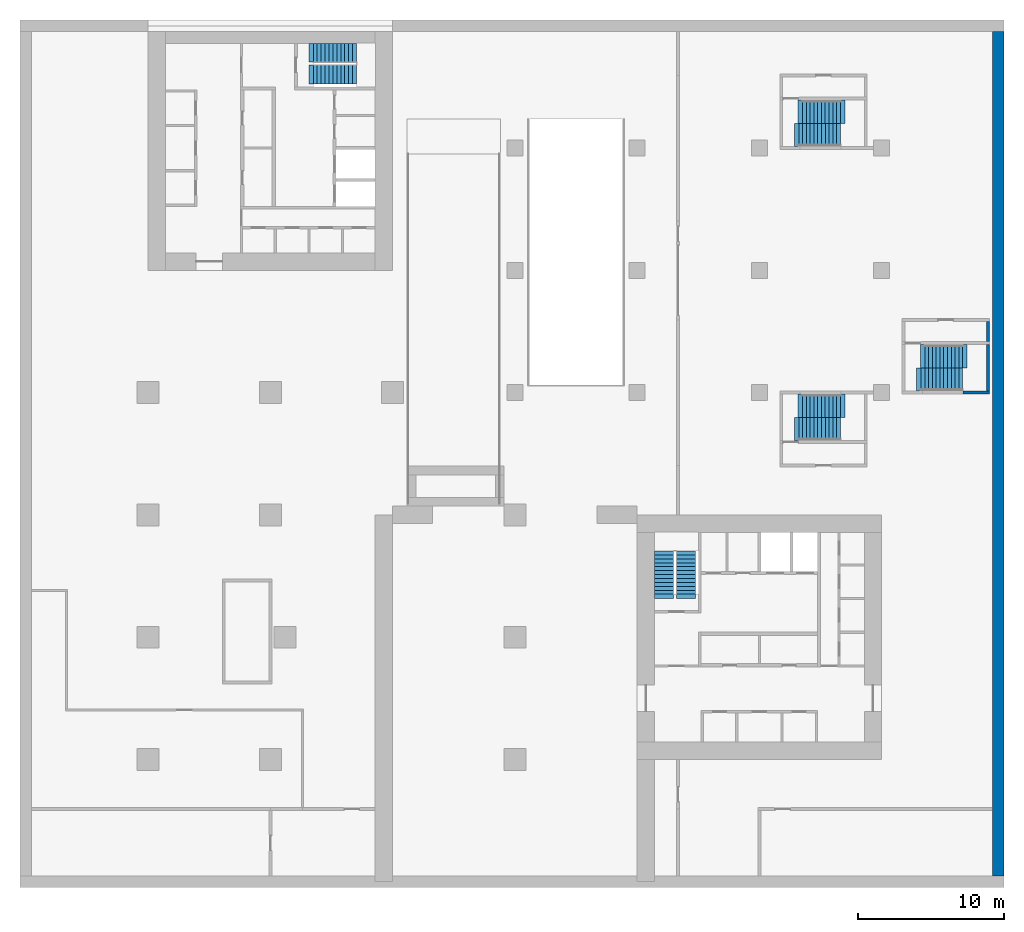
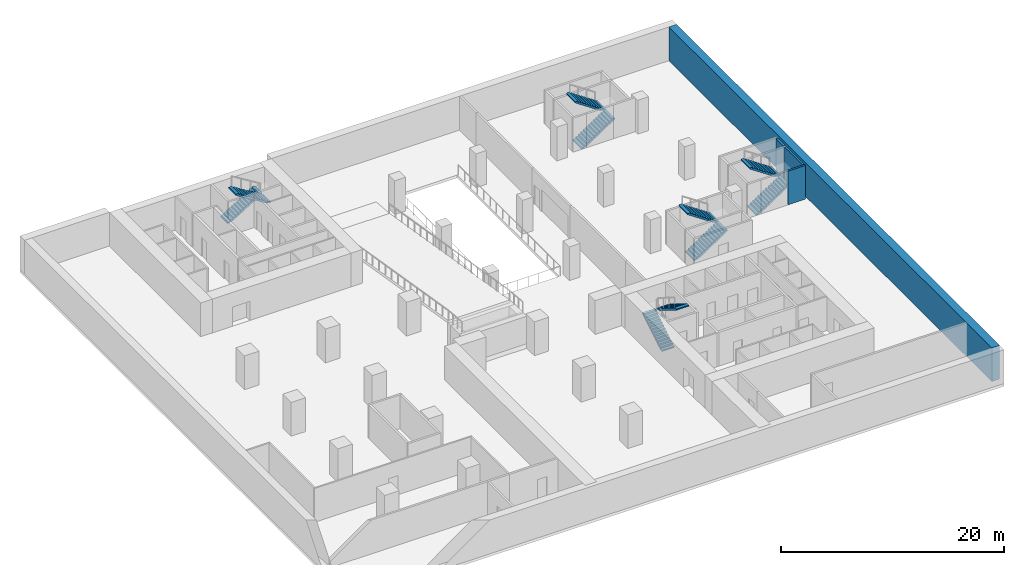
# One storey, part 6 of 7: 10 stair flights, 4 walls, 5 elements without a shape of their own.
"""IFC4 building model written with IfcOpenShell, lengths in metres."""

from ifc_helpers import new_model, si_unit, direction, frame, frame_2d, origin, place, context, subcontext, project, spatial, polyline, rectangle, outline, extrude, material, layer, layer_set, type_object, element, aggregate, save


model = new_model("IFC4")

# Units and contexts
model_context = context("Model", 3, precision=1e-05, world=origin(), true_north=direction((0.0, 1.0)))
body_context = subcontext(model_context, "Body", "Model", "MODEL_VIEW")
ifc_project = project(units=[si_unit("LENGTHUNIT", "METRE"), si_unit("AREAUNIT", "SQUARE_METRE"), si_unit("VOLUMEUNIT", "CUBIC_METRE"), si_unit("PLANEANGLEUNIT", "RADIAN"), si_unit("MASSUNIT", "GRAM", prefix="KILO")], contexts=[model_context])

# Site, building, storey
site_placement = place(None, origin())
site = spatial("IfcSite", under=ifc_project, at=site_placement, CompositionType="ELEMENT")
building_placement = place(site_placement, origin())
building = spatial("IfcBuilding", under=site, at=building_placement, Name="Vermilion Gate Residences", CompositionType="ELEMENT")
storey_placement = place(building_placement, frame((0.0, 0.0, -12.0)))
storey = spatial("IfcBuildingStorey", under=building, at=storey_placement, Name="B3", CompositionType="ELEMENT", Elevation=-12.0)

# Walls
ifc_material_1 = material(Name="Concrete C40", Category="concrete")
ifc_layer_1 = layer(ifc_material_1, 0.800048828125)
ifc_layer_set_1 = layer_set([ifc_layer_1], Name="RC DIAPHRAGM WALL 800 C40")
wall_type_1 = type_object("IfcWallType", Name="RC DIAPHRAGM WALL 800 C40", PredefinedType="SOLIDWALL", material=ifc_layer_set_1)
wall_1_placement = place(storey_placement, frame((66.800048828125, 0.39990234375, 0.0), z_axis=(0.0, 0.0, 1.0), x_axis=(0.0, 1.0, 0.0)))
element("IfcWall", 1, at=wall_1_placement, inside=storey, type_object=wall_type_1, Name="Diaphragm wall B3 4", PredefinedType="SOLIDWALL", context=body_context, shape_type="SweptSolid", body=[
    extrude(rectangle(XDim=58.0, YDim=0.800048828125, at=frame_2d((29.0, 0.0))), origin(), (0.0, 0.0, 1.0), 3.699951171875),
])
ifc_material_2 = material(Name="Concrete C40", Category="concrete")
ifc_layer_2 = layer(ifc_material_2, 0.199951171875)
ifc_layer_set_2 = layer_set([ifc_layer_2], Name="RC STAIR AND SHAFT WALL 200 EI 180 C40 (AMENITY)")
wall_type_2 = type_object("IfcWallType", Name="RC STAIR AND SHAFT WALL 200 EI 180 C40 (AMENITY)", PredefinedType="SOLIDWALL", material=ifc_layer_set_2)
wall_2_placement = place(storey_placement, frame((64.39990234375, 33.60009765625, 0.0), z_axis=(0.0, 0.0, 1.0), x_axis=(1.0, 0.0, 0.0)))
element("IfcWall", 2, at=wall_2_placement, inside=storey, type_object=wall_type_2, Name="Stair and shaft wall 35", PredefinedType="SOLIDWALL", context=body_context, shape_type="SweptSolid", body=[
    extrude(rectangle(XDim=1.800048828125, YDim=0.199951171875, at=frame_2d((0.89990234375, 0.0))), origin(), (0.0, 0.0, 1.0), 3.699951171875),
])
wall_3_placement = place(storey_placement, frame((66.10009765625, 33.699951171875, 0.0), z_axis=(0.0, 0.0, 1.0), x_axis=(0.0, 1.0, 0.0)))
element("IfcWall", 3, at=wall_3_placement, inside=storey, type_object=wall_type_2, Name="Stair and shaft wall 36", PredefinedType="SOLIDWALL", context=body_context, shape_type="SweptSolid", body=[
    extrude(rectangle(XDim=3.199951171875, YDim=0.199951171875, at=frame_2d((1.60009765625, 0.0))), origin(), (0.0, 0.0, 1.0), 3.699951171875),
])
wall_4_placement = place(storey_placement, frame((66.10009765625, 37.10009765625, 0.0), z_axis=(0.0, 0.0, 1.0), x_axis=(0.0, 1.0, 0.0)))
element("IfcWall", 4, at=wall_4_placement, inside=storey, type_object=wall_type_2, Name="Stair and shaft wall 37", PredefinedType="SOLIDWALL", context=body_context, shape_type="SweptSolid", body=[
    extrude(rectangle(XDim=1.39990234375, YDim=0.199951171875, at=frame_2d((0.699951171875, 0.0))), origin(), (0.0, 0.0, 1.0), 3.699951171875),
])

# Stair, stair flights
ifc_material_3 = material(Name="Concrete C30", Category="concrete")
stair_type_1 = type_object("IfcStairType", Name="ESCAPE STAIR 1200 (AMENITY)", PredefinedType="HALF_TURN_STAIR", material=ifc_material_3)
stair_1_placement = place(storey_placement, origin())
stair_1 = element("IfcStair", 5, at=stair_1_placement, inside=storey, type_object=stair_type_1, Name="Garage escape stair 4 B3 to B2", PredefinedType="HALF_TURN_STAIR")
ifc_material_4 = material(Name="Concrete C30", Category="concrete")
stair_flight_type_1 = type_object("IfcStairFlightType", Name="ESCAPE STAIR FLIGHT 1200 (AMENITY)", PredefinedType="STRAIGHT", material=ifc_material_4)
stair_flight_1_placement = place(storey_placement, frame((53.10009765625, 31.10009765625, 0.0), z_axis=(0.0, 0.0, 1.0), x_axis=(1.0, 0.0, 0.0)))
stair_flight_1 = element("IfcStairFlight", 6, at=stair_flight_1_placement, type_object=stair_flight_type_1, Name="STG4 flight 1", NumberOfRisers=12, NumberOfTreads=11, PredefinedType="STRAIGHT", RiserHeight=0.173913043, TreadLength=0.26, context=body_context, shape_type="SweptSolid", body=[
    extrude(outline(polyline([(-0.300048828125, -0.14990234375), (-0.300048828125, -0.030029296875), (0.0, 0.0), (0.0, 0.173828125), (0.260009765625, 0.173828125), (0.260009765625, 0.347900390625), (0.52001953125, 0.347900390625), (0.52001953125, 0.521728515625), (0.780029296875, 0.521728515625), (0.780029296875, 0.695556640625), (1.0400390625, 0.695556640625), (1.0400390625, 0.86962890625), (1.300048828125, 0.86962890625), (1.300048828125, 1.04345703125), (1.56005859375, 1.04345703125), (1.56005859375, 1.21728515625), (1.820068359375, 1.21728515625), (1.820068359375, 1.391357421875), (2.080078125, 1.391357421875), (2.080078125, 1.565185546875), (2.340087890625, 1.565185546875), (2.340087890625, 1.739013671875), (2.60009765625, 1.739013671875), (2.60009765625, 1.9130859375), (2.860107421875, 1.9130859375), (2.860107421875, 2.0869140625), (3.159912109375, 2.056884765625), (3.159912109375, 1.93701171875), (2.860107421875, 1.732666015625), (0.26953125, 0.0), (-0.300048828125, -0.14990234375)])), frame((0.0, 0.800048828125, 0.0), z_axis=(0.0, -1.0, 0.0), x_axis=(1.0, 0.0, 0.0)), (0.0, 0.0, 1.0), 1.60009765625),
])
stair_flight_2_placement = place(storey_placement, frame((55.9599609375, 32.699951171875, 2.0869140625), z_axis=(0.0, 0.0, 1.0), x_axis=(-1.0, 0.0, 0.0)))
stair_flight_2 = element("IfcStairFlight", 7, at=stair_flight_2_placement, type_object=stair_flight_type_1, Name="STG4 flight 2", NumberOfRisers=11, NumberOfTreads=10, PredefinedType="STRAIGHT", RiserHeight=0.173913043, TreadLength=0.26, context=body_context, shape_type="SweptSolid", body=[
    extrude(outline(polyline([(-0.300048828125, -0.14990234375), (-0.300048828125, -0.030029296875), (0.0, 0.0), (0.0, 0.173828125), (0.260009765625, 0.173828125), (0.260009765625, 0.347900390625), (0.52001953125, 0.347900390625), (0.52001953125, 0.521728515625), (0.780029296875, 0.521728515625), (0.780029296875, 0.695556640625), (1.0400390625, 0.695556640625), (1.0400390625, 0.86962890625), (1.300048828125, 0.86962890625), (1.300048828125, 1.04345703125), (1.56005859375, 1.04345703125), (1.56005859375, 1.21728515625), (1.820068359375, 1.21728515625), (1.820068359375, 1.391357421875), (2.080078125, 1.391357421875), (2.080078125, 1.565185546875), (2.340087890625, 1.565185546875), (2.340087890625, 1.739013671875), (2.60009765625, 1.739013671875), (2.60009765625, 1.9130859375), (2.89990234375, 1.883056640625), (2.89990234375, 1.76318359375), (2.60009765625, 1.558837890625), (0.26953125, 0.0), (-0.300048828125, -0.14990234375)])), frame((0.0, 0.800048828125, 0.0), z_axis=(0.0, -1.0, 0.0), x_axis=(1.0, 0.0, 0.0)), (0.0, 0.0, 1.0), 1.60009765625),
])
aggregate(stair_1, [stair_flight_1, stair_flight_2])

stair_2_placement = place(storey_placement, origin())
stair_2 = element("IfcStair", 8, at=stair_2_placement, inside=storey, type_object=stair_type_1, Name="Garage escape stair 15 B3 to B2", PredefinedType="HALF_TURN_STAIR")
stair_flight_3_placement = place(storey_placement, frame((53.10009765625, 51.300048828125, 0.0), z_axis=(0.0, 0.0, 1.0), x_axis=(1.0, 0.0, 0.0)))
stair_flight_3 = element("IfcStairFlight", 9, at=stair_flight_3_placement, type_object=stair_flight_type_1, Name="STG15 flight 1", NumberOfRisers=12, NumberOfTreads=11, PredefinedType="STRAIGHT", RiserHeight=0.173913043, TreadLength=0.26, context=body_context, shape_type="SweptSolid", body=[
    extrude(outline(polyline([(-0.300048828125, -0.14990234375), (-0.300048828125, -0.030029296875), (0.0, 0.0), (0.0, 0.173828125), (0.260009765625, 0.173828125), (0.260009765625, 0.347900390625), (0.52001953125, 0.347900390625), (0.52001953125, 0.521728515625), (0.780029296875, 0.521728515625), (0.780029296875, 0.695556640625), (1.0400390625, 0.695556640625), (1.0400390625, 0.86962890625), (1.300048828125, 0.86962890625), (1.300048828125, 1.04345703125), (1.56005859375, 1.04345703125), (1.56005859375, 1.21728515625), (1.820068359375, 1.21728515625), (1.820068359375, 1.391357421875), (2.080078125, 1.391357421875), (2.080078125, 1.565185546875), (2.340087890625, 1.565185546875), (2.340087890625, 1.739013671875), (2.60009765625, 1.739013671875), (2.60009765625, 1.9130859375), (2.860107421875, 1.9130859375), (2.860107421875, 2.0869140625), (3.159912109375, 2.056884765625), (3.159912109375, 1.93701171875), (2.860107421875, 1.732666015625), (0.26953125, 0.0), (-0.300048828125, -0.14990234375)])), frame((0.0, 0.800048828125, 0.0), z_axis=(0.0, -1.0, 0.0), x_axis=(1.0, 0.0, 0.0)), (0.0, 0.0, 1.0), 1.60009765625),
])
stair_flight_4_placement = place(storey_placement, frame((55.9599609375, 52.89990234375, 2.0869140625), z_axis=(0.0, 0.0, 1.0), x_axis=(-1.0, 0.0, 0.0)))
stair_flight_4 = element("IfcStairFlight", 10, at=stair_flight_4_placement, type_object=stair_flight_type_1, Name="STG15 flight 2", NumberOfRisers=11, NumberOfTreads=10, PredefinedType="STRAIGHT", RiserHeight=0.173913043, TreadLength=0.26, context=body_context, shape_type="SweptSolid", body=[
    extrude(outline(polyline([(-0.300048828125, -0.14990234375), (-0.300048828125, -0.030029296875), (0.0, 0.0), (0.0, 0.173828125), (0.260009765625, 0.173828125), (0.260009765625, 0.347900390625), (0.52001953125, 0.347900390625), (0.52001953125, 0.521728515625), (0.780029296875, 0.521728515625), (0.780029296875, 0.695556640625), (1.0400390625, 0.695556640625), (1.0400390625, 0.86962890625), (1.300048828125, 0.86962890625), (1.300048828125, 1.04345703125), (1.56005859375, 1.04345703125), (1.56005859375, 1.21728515625), (1.820068359375, 1.21728515625), (1.820068359375, 1.391357421875), (2.080078125, 1.391357421875), (2.080078125, 1.565185546875), (2.340087890625, 1.565185546875), (2.340087890625, 1.739013671875), (2.60009765625, 1.739013671875), (2.60009765625, 1.9130859375), (2.89990234375, 1.883056640625), (2.89990234375, 1.76318359375), (2.60009765625, 1.558837890625), (0.26953125, 0.0), (-0.300048828125, -0.14990234375)])), frame((0.0, 0.800048828125, 0.0), z_axis=(0.0, -1.0, 0.0), x_axis=(1.0, 0.0, 0.0)), (0.0, 0.0, 1.0), 1.60009765625),
])
aggregate(stair_2, [stair_flight_3, stair_flight_4])

stair_3_placement = place(storey_placement, origin())
stair_3 = element("IfcStair", 11, at=stair_3_placement, inside=storey, type_object=stair_type_1, Name="Garage escape stair 16 B3 to B2", PredefinedType="HALF_TURN_STAIR")
stair_flight_5_placement = place(storey_placement, frame((61.5, 34.5, 0.0), z_axis=(0.0, 0.0, 1.0), x_axis=(1.0, 0.0, 0.0)))
stair_flight_5 = element("IfcStairFlight", 12, at=stair_flight_5_placement, type_object=stair_flight_type_1, Name="STG16 flight 1", NumberOfRisers=12, NumberOfTreads=11, PredefinedType="STRAIGHT", RiserHeight=0.173913043, TreadLength=0.26, context=body_context, shape_type="SweptSolid", body=[
    extrude(outline(polyline([(-0.300048828125, -0.14990234375), (-0.300048828125, -0.030029296875), (0.0, 0.0), (0.0, 0.173828125), (0.260009765625, 0.173828125), (0.260009765625, 0.347900390625), (0.52001953125, 0.347900390625), (0.52001953125, 0.521728515625), (0.780029296875, 0.521728515625), (0.780029296875, 0.695556640625), (1.0400390625, 0.695556640625), (1.0400390625, 0.86962890625), (1.300048828125, 0.86962890625), (1.300048828125, 1.04345703125), (1.56005859375, 1.04345703125), (1.56005859375, 1.21728515625), (1.820068359375, 1.21728515625), (1.820068359375, 1.391357421875), (2.080078125, 1.391357421875), (2.080078125, 1.565185546875), (2.340087890625, 1.565185546875), (2.340087890625, 1.739013671875), (2.60009765625, 1.739013671875), (2.60009765625, 1.9130859375), (2.860107421875, 1.9130859375), (2.860107421875, 2.0869140625), (3.159912109375, 2.056884765625), (3.159912109375, 1.93701171875), (2.860107421875, 1.732666015625), (0.26953125, 0.0), (-0.300048828125, -0.14990234375)])), frame((0.0, 0.800048828125, 0.0), z_axis=(0.0, -1.0, 0.0), x_axis=(1.0, 0.0, 0.0)), (0.0, 0.0, 1.0), 1.60009765625),
])
stair_flight_6_placement = place(storey_placement, frame((64.360107421875, 36.10009765625, 2.0869140625), z_axis=(0.0, 0.0, 1.0), x_axis=(-1.0, 0.0, 0.0)))
stair_flight_6 = element("IfcStairFlight", 13, at=stair_flight_6_placement, type_object=stair_flight_type_1, Name="STG16 flight 2", NumberOfRisers=11, NumberOfTreads=10, PredefinedType="STRAIGHT", RiserHeight=0.173913043, TreadLength=0.26, context=body_context, shape_type="SweptSolid", body=[
    extrude(outline(polyline([(-0.300048828125, -0.14990234375), (-0.300048828125, -0.030029296875), (0.0, 0.0), (0.0, 0.173828125), (0.260009765625, 0.173828125), (0.260009765625, 0.347900390625), (0.52001953125, 0.347900390625), (0.52001953125, 0.521728515625), (0.780029296875, 0.521728515625), (0.780029296875, 0.695556640625), (1.0400390625, 0.695556640625), (1.0400390625, 0.86962890625), (1.300048828125, 0.86962890625), (1.300048828125, 1.04345703125), (1.56005859375, 1.04345703125), (1.56005859375, 1.21728515625), (1.820068359375, 1.21728515625), (1.820068359375, 1.391357421875), (2.080078125, 1.391357421875), (2.080078125, 1.565185546875), (2.340087890625, 1.565185546875), (2.340087890625, 1.739013671875), (2.60009765625, 1.739013671875), (2.60009765625, 1.9130859375), (2.89990234375, 1.883056640625), (2.89990234375, 1.76318359375), (2.60009765625, 1.558837890625), (0.26953125, 0.0), (-0.300048828125, -0.14990234375)])), frame((0.0, 0.800048828125, 0.0), z_axis=(0.0, -1.0, 0.0), x_axis=(1.0, 0.0, 0.0)), (0.0, 0.0, 1.0), 1.60009765625),
])
aggregate(stair_3, [stair_flight_5, stair_flight_6])

ifc_material_5 = material(Name="Concrete C50", Category="concrete")
stair_type_2 = type_object("IfcStairType", Name="SPECIAL ESCAPE STAIR 1300", PredefinedType="HALF_TURN_STAIR", material=ifc_material_5)
stair_4_placement = place(storey_placement, origin())
stair_4 = element("IfcStair", 14, at=stair_4_placement, inside=storey, type_object=stair_type_2, Name="Special escape stair STA1-B3", PredefinedType="HALF_TURN_STAIR")
ifc_material_6 = material(Name="Concrete C50", Category="concrete")
stair_flight_type_2 = type_object("IfcStairFlightType", Name="STAIR FLIGHT 1300 RC C50", PredefinedType="STRAIGHT", material=ifc_material_6)
stair_flight_7_placement = place(storey_placement, frame((43.85009765625, 19.75, 0.0), z_axis=(0.0, 0.0, 1.0), x_axis=(0.0, 1.0, 0.0)))
stair_flight_7 = element("IfcStairFlight", 15, at=stair_flight_7_placement, type_object=stair_flight_type_2, Name="STA1-B3 flight 1", NumberOfRisers=12, NumberOfTreads=11, PredefinedType="STRAIGHT", RiserHeight=0.166666667, TreadLength=0.27, context=body_context, shape_type="SweptSolid", body=[
    extrude(outline(polyline([(-0.300048828125, -0.14990234375), (-0.300048828125, -0.030029296875), (0.0, 0.0), (0.0, 0.166748046875), (0.27001953125, 0.166748046875), (0.27001953125, 0.333251953125), (0.5400390625, 0.333251953125), (0.5400390625, 0.5), (0.81005859375, 0.5), (0.81005859375, 0.666748046875), (1.080078125, 0.666748046875), (1.080078125, 0.833251953125), (1.35009765625, 0.833251953125), (1.35009765625, 1.0), (1.6201171875, 1.0), (1.6201171875, 1.166748046875), (1.889892578125, 1.166748046875), (1.889892578125, 1.333251953125), (2.159912109375, 1.333251953125), (2.159912109375, 1.5), (2.429931640625, 1.5), (2.429931640625, 1.666748046875), (2.699951171875, 1.666748046875), (2.699951171875, 1.833251953125), (2.969970703125, 1.833251953125), (2.969970703125, 2.0), (3.27001953125, 1.969970703125), (3.27001953125, 1.85009765625), (2.969970703125, 1.6572265625), (0.285400390625, 0.0), (-0.300048828125, -0.14990234375)])), frame((0.0, 0.64990234375, 0.0), z_axis=(0.0, -1.0, 0.0), x_axis=(1.0, 0.0, 0.0)), (0.0, 0.0, 1.0), 1.300048828125),
])
stair_flight_8_placement = place(storey_placement, frame((45.35009765625, 22.719970703125, 2.0), z_axis=(0.0, 0.0, 1.0), x_axis=(0.0, -1.0, 0.0)))
stair_flight_8 = element("IfcStairFlight", 16, at=stair_flight_8_placement, type_object=stair_flight_type_2, Name="STA1-B3 flight 2", NumberOfRisers=12, NumberOfTreads=11, PredefinedType="STRAIGHT", RiserHeight=0.166666667, TreadLength=0.27, context=body_context, shape_type="SweptSolid", body=[
    extrude(outline(polyline([(-0.300048828125, -0.14990234375), (-0.300048828125, -0.030029296875), (0.0, 0.0), (0.0, 0.166748046875), (0.27001953125, 0.166748046875), (0.27001953125, 0.333251953125), (0.5400390625, 0.333251953125), (0.5400390625, 0.5), (0.81005859375, 0.5), (0.81005859375, 0.666748046875), (1.080078125, 0.666748046875), (1.080078125, 0.833251953125), (1.35009765625, 0.833251953125), (1.35009765625, 1.0), (1.6201171875, 1.0), (1.6201171875, 1.166748046875), (1.889892578125, 1.166748046875), (1.889892578125, 1.333251953125), (2.159912109375, 1.333251953125), (2.159912109375, 1.5), (2.429931640625, 1.5), (2.429931640625, 1.666748046875), (2.699951171875, 1.666748046875), (2.699951171875, 1.833251953125), (2.969970703125, 1.833251953125), (2.969970703125, 2.0), (3.27001953125, 1.969970703125), (3.27001953125, 1.85009765625), (2.969970703125, 1.6572265625), (0.285400390625, 0.0), (-0.300048828125, -0.14990234375)])), frame((0.0, 0.64990234375, 0.0), z_axis=(0.0, -1.0, 0.0), x_axis=(1.0, 0.0, 0.0)), (0.0, 0.0, 1.0), 1.300048828125),
])
aggregate(stair_4, [stair_flight_7, stair_flight_8])

stair_5_placement = place(storey_placement, origin())
stair_5 = element("IfcStair", 17, at=stair_5_placement, inside=storey, type_object=stair_type_2, Name="Special escape stair STB1-B3", PredefinedType="HALF_TURN_STAIR")
stair_flight_9_placement = place(storey_placement, frame((19.75, 56.949951171875, 0.0), z_axis=(0.0, 0.0, 1.0), x_axis=(1.0, 0.0, 0.0)))
stair_flight_9 = element("IfcStairFlight", 18, at=stair_flight_9_placement, type_object=stair_flight_type_2, Name="STB1-B3 flight 1", NumberOfRisers=12, NumberOfTreads=11, PredefinedType="STRAIGHT", RiserHeight=0.166666667, TreadLength=0.27, context=body_context, shape_type="SweptSolid", body=[
    extrude(outline(polyline([(-0.300048828125, -0.14990234375), (-0.300048828125, -0.030029296875), (0.0, 0.0), (0.0, 0.166748046875), (0.27001953125, 0.166748046875), (0.27001953125, 0.333251953125), (0.5400390625, 0.333251953125), (0.5400390625, 0.5), (0.81005859375, 0.5), (0.81005859375, 0.666748046875), (1.080078125, 0.666748046875), (1.080078125, 0.833251953125), (1.35009765625, 0.833251953125), (1.35009765625, 1.0), (1.6201171875, 1.0), (1.6201171875, 1.166748046875), (1.889892578125, 1.166748046875), (1.889892578125, 1.333251953125), (2.159912109375, 1.333251953125), (2.159912109375, 1.5), (2.429931640625, 1.5), (2.429931640625, 1.666748046875), (2.699951171875, 1.666748046875), (2.699951171875, 1.833251953125), (2.969970703125, 1.833251953125), (2.969970703125, 2.0), (3.27001953125, 1.969970703125), (3.27001953125, 1.85009765625), (2.969970703125, 1.6572265625), (0.285400390625, 0.0), (-0.300048828125, -0.14990234375)])), frame((0.0, 0.64990234375, 0.0), z_axis=(0.0, -1.0, 0.0), x_axis=(1.0, 0.0, 0.0)), (0.0, 0.0, 1.0), 1.300048828125),
])
stair_flight_10_placement = place(storey_placement, frame((22.719970703125, 55.449951171875, 2.0), z_axis=(0.0, 0.0, 1.0), x_axis=(-1.0, 0.0, 0.0)))
stair_flight_10 = element("IfcStairFlight", 19, at=stair_flight_10_placement, type_object=stair_flight_type_2, Name="STB1-B3 flight 2", NumberOfRisers=12, NumberOfTreads=11, PredefinedType="STRAIGHT", RiserHeight=0.166666667, TreadLength=0.27, context=body_context, shape_type="SweptSolid", body=[
    extrude(outline(polyline([(-0.300048828125, -0.14990234375), (-0.300048828125, -0.030029296875), (0.0, 0.0), (0.0, 0.166748046875), (0.27001953125, 0.166748046875), (0.27001953125, 0.333251953125), (0.5400390625, 0.333251953125), (0.5400390625, 0.5), (0.81005859375, 0.5), (0.81005859375, 0.666748046875), (1.080078125, 0.666748046875), (1.080078125, 0.833251953125), (1.35009765625, 0.833251953125), (1.35009765625, 1.0), (1.6201171875, 1.0), (1.6201171875, 1.166748046875), (1.889892578125, 1.166748046875), (1.889892578125, 1.333251953125), (2.159912109375, 1.333251953125), (2.159912109375, 1.5), (2.429931640625, 1.5), (2.429931640625, 1.666748046875), (2.699951171875, 1.666748046875), (2.699951171875, 1.833251953125), (2.969970703125, 1.833251953125), (2.969970703125, 2.0), (3.27001953125, 1.969970703125), (3.27001953125, 1.85009765625), (2.969970703125, 1.6572265625), (0.285400390625, 0.0), (-0.300048828125, -0.14990234375)])), frame((0.0, 0.64990234375, 0.0), z_axis=(0.0, -1.0, 0.0), x_axis=(1.0, 0.0, 0.0)), (0.0, 0.0, 1.0), 1.300048828125),
])
aggregate(stair_5, [stair_flight_9, stair_flight_10])

save(model, "model.ifc")
